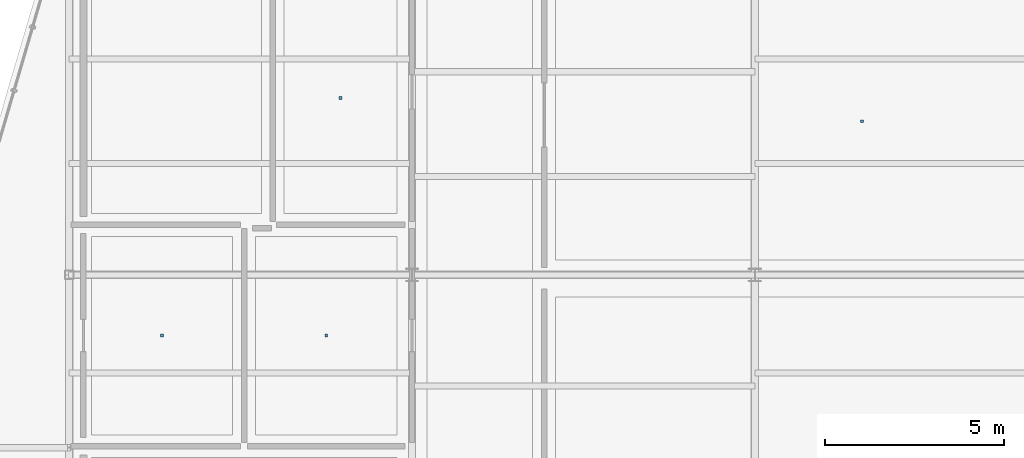
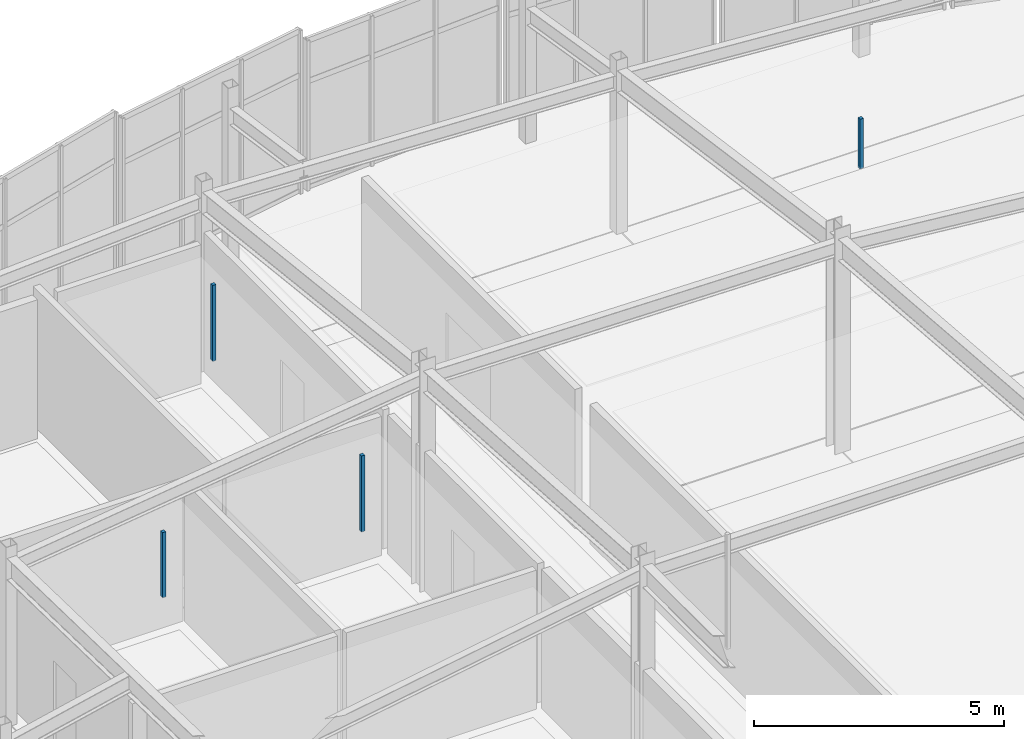
# One storey, part 103 of 114: 4 discrete accessories.
"""IFC4 building model written with IfcOpenShell, lengths in metres."""

import ifcopenshell
import ifcopenshell.guid

model = None  # the IFC model being written
_history = None  # IfcOwnerHistory: only IFC2X3 demands one
_inside = {}  # id of a spatial element -> (the spatial element, [elements in it])
_under = {}  # id of a project, library or spatial element -> (it, [spatial elements below it])
_declared = {}  # id of a project -> (the project, [libraries it declares])
_typed = {}  # id of a type object -> (the type object, [elements of that type])
_made_of = {}  # id of a material, layer set ... -> (it, [elements and type objects made of it])


def new_model(schema):
    """Start an empty IFC model of exactly this schema.

    Asked for "IFC4X3", IfcOpenShell would pick the latest addendum, in which some entities
    have other attributes; the version numbers below select the first issue.
    IFC2X3 requires an IfcOwnerHistory on every rooted entity: one is made here for all.
    """
    global model, _history
    if schema == "IFC4X3":
        model = ifcopenshell.file(schema_version=(4, 3, 0, 0))
    else:
        model = ifcopenshell.file(schema=schema)
    _inside.clear()
    _under.clear()
    _declared.clear()
    _typed.clear()
    _made_of.clear()
    _history = None
    if model.schema == "IFC2X3":
        org = make("IfcOrganization", Name="unknown")
        user = make(
            "IfcPersonAndOrganization",
            ThePerson=make("IfcPerson", FamilyName="unknown"),
            TheOrganization=org,
        )
        app = make(
            "IfcApplication",
            ApplicationDeveloper=org,
            Version="unknown",
            ApplicationFullName="unknown",
            ApplicationIdentifier="unknown",
        )
        _history = make(
            "IfcOwnerHistory",
            OwningUser=user,
            OwningApplication=app,
            ChangeAction="ADDED",
            CreationDate=0,
        )
    return model


def make(cls, **values):
    """One entity of the class cls with the attributes given. An attribute that is None is left unset."""
    return model.create_entity(
        cls, **{name: value for name, value in values.items() if value is not None}
    )


def rooted(cls, **values):
    """An entity with a GlobalId (a new one), such as an element, a storey or a relation."""
    return make(cls, GlobalId=ifcopenshell.guid.new(), OwnerHistory=_history, **values)


def si_unit(unit_type, name, prefix=None):
    """IfcSIUnit, for example si_unit("LENGTHUNIT", "METRE", prefix="MILLI")."""
    return make("IfcSIUnit", UnitType=unit_type, Prefix=prefix, Name=name)


def assignment(units):
    """IfcUnitAssignment: the units of a project."""
    return None if units is None else make("IfcUnitAssignment", Units=units)


def point(xyz):
    """IfcCartesianPoint."""
    return None if xyz is None else make("IfcCartesianPoint", Coordinates=xyz)


def direction(xyz):
    """IfcDirection."""
    return None if xyz is None else make("IfcDirection", DirectionRatios=xyz)


def frame(location, z_axis=None, x_axis=None):
    """IfcAxis2Placement3D, a coordinate frame: its origin and axes. An axis left out is left unset."""
    return make(
        "IfcAxis2Placement3D",
        Location=point(location),
        Axis=direction(z_axis),
        RefDirection=direction(x_axis),
    )


def frame_2d(location, x_axis=None):
    """IfcAxis2Placement2D, a coordinate frame in the plane: its origin and x axis."""
    return make(
        "IfcAxis2Placement2D", Location=point(location), RefDirection=direction(x_axis)
    )


def origin():
    """The frame at (0, 0, 0) with its axes left unset."""
    return frame((0.0, 0.0, 0.0))


def origin_2d():
    """The frame at (0, 0) in the plane with its x axis left unset."""
    return frame_2d((0.0, 0.0))


def place(relative_to, where):
    """IfcLocalPlacement: puts the frame where relative to a parent placement (None: the world)."""
    return make(
        "IfcLocalPlacement", PlacementRelTo=relative_to, RelativePlacement=where
    )


def context(
    kind, dimensions, precision=None, world=None, true_north=None, identifier=None
):
    """IfcGeometricRepresentationContext, for example the 3D "Model" context."""
    return make(
        "IfcGeometricRepresentationContext",
        ContextIdentifier=identifier,
        ContextType=kind,
        CoordinateSpaceDimension=dimensions,
        Precision=precision,
        WorldCoordinateSystem=world,
        TrueNorth=true_north,
    )


def subcontext(parent, identifier, kind, view, scale=None):
    """IfcGeometricRepresentationSubContext, for example "Body" below "Model"."""
    return make(
        "IfcGeometricRepresentationSubContext",
        ContextIdentifier=identifier,
        ContextType=kind,
        ParentContext=parent,
        TargetScale=scale,
        TargetView=view,
    )


def project(units=None, contexts=None):
    """IfcProject with its units and contexts."""
    return rooted(
        "IfcProject",
        Name="project",
        RepresentationContexts=contexts,
        UnitsInContext=assignment(units),
    )


def spatial(cls, under=None, at=None, **own):
    """A site, building, storey or space (cls), placed at a placement, below another one or the project."""
    s = rooted(cls, ObjectPlacement=at, **own)
    if under is not None:
        _under.setdefault(under.id(), (under, []))[1].append(s)
    return s


def profile(cls, at=None, kind="AREA", **sizes):
    """A parametric profile (cls). Its sizes go by their IFC names, for example OverallWidth=200.0."""
    return make(cls, ProfileType=kind, Position=at, **sizes)


def rectangle(**sizes):
    """IfcRectangleProfileDef."""
    return profile("IfcRectangleProfileDef", **sizes)


def extrude(swept, where, along, depth):
    """IfcExtrudedAreaSolid: the profile swept, set in the frame where, extruded along a direction by depth."""
    return make(
        "IfcExtrudedAreaSolid",
        SweptArea=swept,
        Position=where,
        ExtrudedDirection=direction(along),
        Depth=depth,
    )


def shape(context_of_items, identifier, shape_type, items):
    """IfcShapeRepresentation: the items that make up one representation, for example the "Body"."""
    return make(
        "IfcShapeRepresentation",
        ContextOfItems=context_of_items,
        RepresentationIdentifier=identifier,
        RepresentationType=shape_type,
        Items=items,
    )


def material(Name=None, Category=None):
    """IfcMaterial."""
    return make("IfcMaterial", Name=Name, Category=Category)


def made_of(thing, what):
    """Note that an element or type object is made of a material, layer set ...; save() writes the relation."""
    if what is not None:
        _made_of.setdefault(what.id(), (what, []))[1].append(thing)
    return thing


def type_object(cls, material=None, **own):
    """A type object (cls), such as IfcWallType, which elements share."""
    return made_of(rooted(cls, **own), material)


def element(
    cls,
    number,
    at=None,
    inside=None,
    cuts=None,
    type_object=None,
    material=None,
    context=None,
    identifier="Body",
    shape_type=None,
    held_by="IfcProductDefinitionShape",
    body=None,
    shapes=None,
    **own,
):
    """One element of the class cls, such as IfcWall. Its Tag is "e" and its number.

    at: its placement. inside: the storey or other place that contains it. cuts: it is an
    opening in that element (IfcRelVoidsElement). A single representation is given by context,
    identifier, shape_type and body (its items); several are given by shapes. held_by: the class
    of the entity that holds the representations. save() writes the other relations.
    """
    e = rooted(cls, Tag="e%d" % number, ObjectPlacement=at, **own)
    if body is not None:
        shapes = [shape(context, identifier, shape_type, body)]
    if shapes is not None:
        e.Representation = make(held_by, Representations=shapes)
    if inside is not None:
        _inside.setdefault(inside.id(), (inside, []))[1].append(e)
    if cuts is not None:
        rooted(
            "IfcRelVoidsElement", RelatingBuildingElement=cuts, RelatedOpeningElement=e
        )
    if type_object is not None:
        _typed.setdefault(type_object.id(), (type_object, []))[1].append(e)
    return made_of(e, material)


def aggregate(whole, parts):
    """IfcRelAggregates: a whole, such as a stair, and the parts it consists of."""
    return rooted("IfcRelAggregates", RelatingObject=whole, RelatedObjects=parts)


def save(model, path):
    """Write the relations noted so far, then the file.

    IfcRelAggregates (storeys below a building ...), IfcRelContainedInSpatialStructure (elements
    in a storey), IfcRelDefinesByType, IfcRelAssociatesMaterial and IfcRelDeclares: one each for
    every whole, place, type object, material and project.
    """
    for whole, parts in _under.values():
        aggregate(whole, parts)
    for where, things in _inside.values():
        rooted(
            "IfcRelContainedInSpatialStructure",
            RelatedElements=things,
            RelatingStructure=where,
        )
    for kind, things in _typed.values():
        rooted("IfcRelDefinesByType", RelatedObjects=things, RelatingType=kind)
    for what, things in _made_of.values():
        rooted("IfcRelAssociatesMaterial", RelatedObjects=things, RelatingMaterial=what)
    for by, libraries in _declared.values():
        rooted("IfcRelDeclares", RelatingContext=by, RelatedDefinitions=libraries)
    model.write(path)


model = new_model("IFC4")

# Units and contexts
model_context = context("Model", 3, precision=1e-05, world=origin(), true_north=direction((0.0, 1.0)))
body_context = subcontext(model_context, "Body", "Model", "MODEL_VIEW")
ifc_project = project(units=[si_unit("LENGTHUNIT", "METRE"), si_unit("AREAUNIT", "SQUARE_METRE"), si_unit("VOLUMEUNIT", "CUBIC_METRE"), si_unit("PLANEANGLEUNIT", "RADIAN"), si_unit("MASSUNIT", "GRAM", prefix="KILO")], contexts=[model_context])

# Site, building, storey
site_placement = place(None, origin())
site = spatial("IfcSite", under=ifc_project, at=site_placement, CompositionType="ELEMENT")
building_placement = place(site_placement, origin())
building = spatial("IfcBuilding", under=site, at=building_placement, Name="Chalmorin Arch Market", CompositionType="ELEMENT")
storey_placement = place(building_placement, frame((0.0, 0.0, 9.60009765625)))
storey = spatial("IfcBuildingStorey", under=building, at=storey_placement, Name="L02", CompositionType="ELEMENT", Elevation=9.60009765625)

# Discrete accessories
ifc_material = material(Name="Galvanized Cold-Formed Steel", Category="steel")
discrete_accessory_type = type_object("IfcDiscreteAccessoryType", Name="CeilingSuspensionBracket-80x80", PredefinedType="BRACKET", material=ifc_material)
discrete_accessory_1_placement = place(storey_placement, frame((22.199951171875, 45.5, 3.202880859375), z_axis=(0.0, 0.0, 1.0), x_axis=(1.0, 0.0, 0.0)))
element("IfcDiscreteAccessory", 1, at=discrete_accessory_1_placement, inside=storey, type_object=discrete_accessory_type, Name="CSB-216", PredefinedType="BRACKET", context=body_context, shape_type="SweptSolid", body=[
    extrude(rectangle(XDim=0.080078125, YDim=0.080078125, at=origin_2d()), origin(), (0.0, 0.0, 1.0), 1.212890625),
])
discrete_accessory_2_placement = place(storey_placement, frame((2.60009765625, 39.5, 3.2119140625), z_axis=(0.0, 0.0, 1.0), x_axis=(1.0, 0.0, 0.0)))
element("IfcDiscreteAccessory", 2, at=discrete_accessory_2_placement, inside=storey, type_object=discrete_accessory_type, Name="CSB-220", PredefinedType="BRACKET", context=body_context, shape_type="SweptSolid", body=[
    extrude(rectangle(XDim=0.080078125, YDim=0.080078125, at=origin_2d()), origin(), (0.0, 0.0, 1.0), 1.593994140625),
])
for number, where, z_axis, x_axis, name in (
    (3, (7.199951171875, 39.5, 3.2119140625), (0.0, 0.0, 1.0), (1.0, 0.0, 0.0), "CSB-222"),
    (4, (7.60009765625, 46.14990234375, 3.2119140625), (0.0, 0.0, 1.0), (1.0, 0.0, 0.0), "CSB-224"),
):
    element("IfcDiscreteAccessory", number, at=place(storey_placement, frame(where, z_axis=z_axis, x_axis=x_axis)), inside=storey, type_object=discrete_accessory_type, Name=name, PredefinedType="BRACKET", context=body_context, shape_type="SweptSolid", body=[
        extrude(rectangle(XDim=0.080078125, YDim=0.080078125, at=origin_2d()), origin(), (0.0, 0.0, 1.0), 1.860107421875),
    ])

save(model, "model.ifc")
